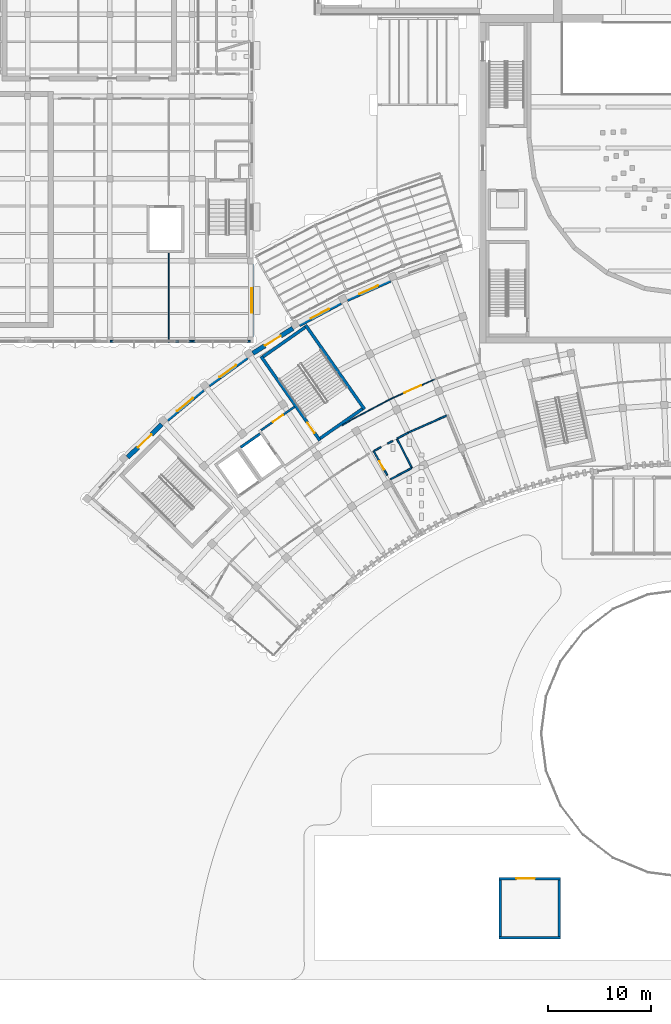
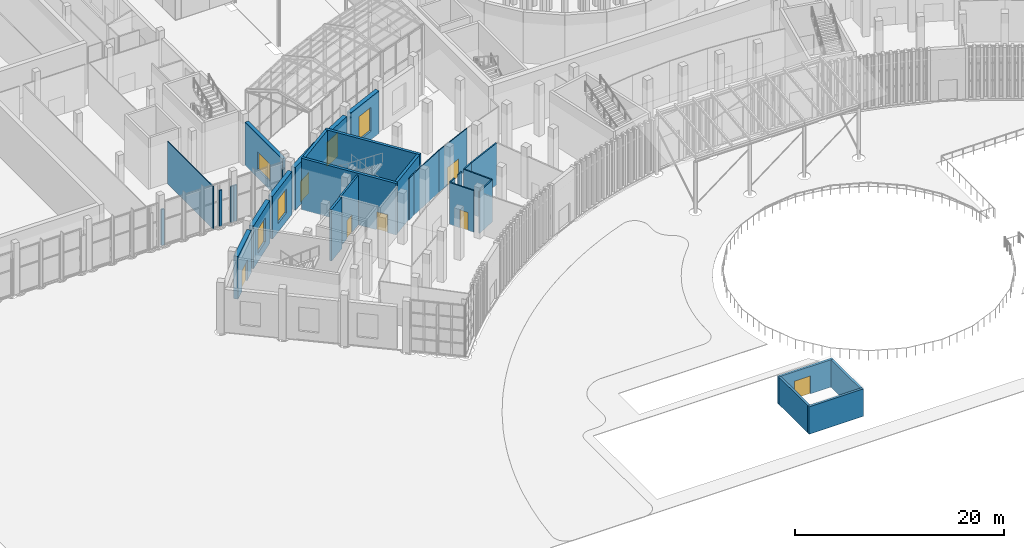
# One storey, part 91 of 155: 33 walls, 7 doors, 5 windows, 12 openings.
"""IFC4 building model written with IfcOpenShell, lengths in metres."""

from ifc_helpers import new_model, si_unit, direction, frame, frame_2d, origin, place, context, subcontext, project, spatial, rectangle, extrude, material, layer, layer_set, type_object, element, fill, save


model = new_model("IFC4")

# Units and contexts
model_context = context("Model", 3, precision=1e-05, world=origin(), true_north=direction((0.0, 1.0)))
body_context = subcontext(model_context, "Body", "Model", "MODEL_VIEW")
ifc_project = project(units=[si_unit("LENGTHUNIT", "METRE"), si_unit("AREAUNIT", "SQUARE_METRE"), si_unit("VOLUMEUNIT", "CUBIC_METRE"), si_unit("PLANEANGLEUNIT", "RADIAN"), si_unit("MASSUNIT", "GRAM", prefix="KILO")], contexts=[model_context])

# Site, building, storey
site_placement = place(None, origin())
site = spatial("IfcSite", under=ifc_project, at=site_placement, CompositionType="ELEMENT")
building_placement = place(site_placement, origin())
building = spatial("IfcBuilding", under=site, at=building_placement, Name="Lunette Opera House", CompositionType="ELEMENT")
storey_placement = place(building_placement, origin())
storey = spatial("IfcBuildingStorey", under=building, at=storey_placement, Name="L00", CompositionType="ELEMENT", Elevation=0.0)

# Wall, opening, door
ifc_material_1 = material(Name="Clinker brick", Category="masonry")
ifc_layer_1 = layer(ifc_material_1, 0.449951171875)
ifc_layer_set_1 = layer_set([ifc_layer_1], Name="Clinker brick")
wall_type_1 = type_object("IfcWallType", Name="ARM RAIN SCREEN WALL 450", PredefinedType="SOLIDWALL", material=ifc_layer_set_1)
wall_1_placement = place(storey_placement, frame((41.743896484375, 52.881103515625, 0.0), z_axis=(0.0, 0.0, 1.0), x_axis=(0.71931528768, 0.694683753164, 0.0)))
wall_1 = element("IfcWall", 1, at=wall_1_placement, inside=storey, type_object=wall_type_1, Name="Arm Rain Screen Wall 450 BW-CW02 L00", PredefinedType="SOLIDWALL", context=body_context, shape_type="SweptSolid", body=[
    extrude(rectangle(XDim=4.589111328125, YDim=0.449951171875, at=frame_2d((2.29443359375, 0.0))), origin(), (0.0, 0.0, 1.0), 4.97998046875),
])
opening_1_placement = place(wall_1_placement, frame((1.39501953125, 0.0, 0.0)))
opening_1 = element("IfcOpeningElement", 2, at=opening_1_placement, cuts=wall_1, Name="Opening FC-D2008", PredefinedType="OPENING", context=body_context, shape_type="SweptSolid", body=[
    extrude(rectangle(XDim=1.800048828125, YDim=2.39990234375, at=frame_2d((0.89990234375, 1.199951171875))), frame((0.0, 0.237060546875, 0.0), z_axis=(0.0, -1.0, 0.0), x_axis=(1.0, 0.0, 0.0)), (0.0, 0.0, 1.0), 0.473876953125),
])
ifc_material_2 = material(Name="Powder-coated steel", Category="steel")
door_type_1 = type_object("IfcDoorType", Name="EXIT DOUBLE DOOR 1800 X 2400", OperationType="DOUBLE_DOOR_DOUBLE_SWING", PredefinedType="DOOR", material=ifc_material_2)
door_1_placement = place(opening_1_placement, origin())
door_1 = element("IfcDoor", 3, at=door_1_placement, inside=storey, type_object=door_type_1, Name="Exit Double Door 1800 X 2400 BW-CW02 L00", OperationType="DOUBLE_DOOR_DOUBLE_SWING", OverallHeight=2.39990234375, OverallWidth=1.800048828125, PredefinedType="DOOR", context=body_context, shape_type="SweptSolid", body=[
    extrude(rectangle(XDim=1.800048828125, YDim=2.39990234375, at=frame_2d((0.89990234375, 1.199951171875))), frame((0.0, 0.02490234375, 0.0), z_axis=(0.0, -1.0, 0.0), x_axis=(1.0, 0.0, 0.0)), (0.0, 0.0, 1.0), 0.050048828125),
])
fill(opening_1, door_1)

# Wall, opening, window
wall_2_placement = place(storey_placement, frame((45.56494140625, 56.537109375, 0.0), z_axis=(0.0, 0.0, 1.0), x_axis=(0.76600138663, 0.642838918922, 0.0)))
wall_2 = element("IfcWall", 4, at=wall_2_placement, inside=storey, type_object=wall_type_1, Name="Arm Rain Screen Wall 450 BW-CW03 L00", PredefinedType="SOLIDWALL", context=body_context, shape_type="SweptSolid", body=[
    extrude(rectangle(XDim=4.5888671875, YDim=0.449951171875, at=frame_2d((2.29443359375, 0.0))), origin(), (0.0, 0.0, 1.0), 4.97998046875),
])
opening_2_placement = place(wall_2_placement, frame((1.2939453125, 0.0, 1.0)))
opening_2 = element("IfcOpeningElement", 5, at=opening_2_placement, cuts=wall_2, Name="Opening FC-N2116", PredefinedType="OPENING", context=body_context, shape_type="SweptSolid", body=[
    extrude(rectangle(XDim=2.0, YDim=2.800048828125, at=frame_2d((1.0, 1.39990234375))), frame((0.0, 0.237060546875, 0.0), z_axis=(0.0, -1.0, 0.0), x_axis=(1.0, 0.0, 0.0)), (0.0, 0.0, 1.0), 0.473876953125),
])
ifc_material_3 = material(Name="Aluminium", Category="aluminium")
window_type_1 = type_object("IfcWindowType", Name="ARM WINDOW 2000 X 2800", PartitioningType="DOUBLE_PANEL_VERTICAL", PredefinedType="WINDOW", material=ifc_material_3)
window_1_placement = place(opening_2_placement, origin())
window_1 = element("IfcWindow", 6, at=window_1_placement, inside=storey, type_object=window_type_1, Name="Arm Window 2000 X 2800 BW-CW03 L00", OverallHeight=2.800048828125, OverallWidth=2.0, PartitioningType="DOUBLE_PANEL_VERTICAL", PredefinedType="WINDOW", context=body_context, shape_type="SweptSolid", body=[
    extrude(rectangle(XDim=2.0, YDim=2.800048828125, at=frame_2d((1.0, 1.39990234375))), frame((0.0, 0.030029296875, 0.0), z_axis=(0.0, -1.0, 0.0), x_axis=(1.0, 0.0, 0.0)), (0.0, 0.0, 1.0), 0.06005859375),
])
fill(opening_2, window_1)

wall_3_placement = place(storey_placement, frame((49.631103515625, 59.91796875, 0.0), z_axis=(0.0, 0.0, 1.0), x_axis=(0.809175321394, 0.587567272104, 0.0)))
wall_3 = element("IfcWall", 7, at=wall_3_placement, inside=storey, type_object=wall_type_1, Name="Arm Rain Screen Wall 450 BW-CW04 L00", PredefinedType="SOLIDWALL", context=body_context, shape_type="SweptSolid", body=[
    extrude(rectangle(XDim=4.58837890625, YDim=0.449951171875, at=frame_2d((2.294189453125, 0.0))), origin(), (0.0, 0.0, 1.0), 4.97998046875),
])
opening_3_placement = place(wall_3_placement, frame((1.2939453125, 0.0, 1.0)))
opening_3 = element("IfcOpeningElement", 8, at=opening_3_placement, cuts=wall_3, Name="Opening FC-N2121", PredefinedType="OPENING", context=body_context, shape_type="SweptSolid", body=[
    extrude(rectangle(XDim=2.0, YDim=2.800048828125, at=frame_2d((1.0, 1.39990234375))), frame((0.0, 0.237060546875, 0.0), z_axis=(0.0, -1.0, 0.0), x_axis=(1.0, 0.0, 0.0)), (0.0, 0.0, 1.0), 0.473876953125),
])
window_2_placement = place(opening_3_placement, origin())
window_2 = element("IfcWindow", 9, at=window_2_placement, inside=storey, type_object=window_type_1, Name="Arm Window 2000 X 2800 BW-CW04 L00", OverallHeight=2.800048828125, OverallWidth=2.0, PartitioningType="DOUBLE_PANEL_VERTICAL", PredefinedType="WINDOW", context=body_context, shape_type="SweptSolid", body=[
    extrude(rectangle(XDim=2.0, YDim=2.800048828125, at=frame_2d((1.0, 1.39990234375))), frame((0.0, 0.030029296875, 0.0), z_axis=(0.0, -1.0, 0.0), x_axis=(1.0, 0.0, 0.0)), (0.0, 0.0, 1.0), 0.06005859375),
])
fill(opening_3, window_2)

# Wall, opening, door
wall_4_placement = place(storey_placement, frame((53.924072265625, 63.0048828125, 0.0), z_axis=(0.0, 0.0, 1.0), x_axis=(0.847929565971, 0.530108904992, 0.0)))
wall_4 = element("IfcWall", 10, at=wall_4_placement, inside=storey, type_object=wall_type_1, Name="Arm Rain Screen Wall 450 BW-CW05 L00", PredefinedType="SOLIDWALL", context=body_context, shape_type="SweptSolid", body=[
    extrude(rectangle(XDim=4.58984375, YDim=0.449951171875, at=frame_2d((2.294921875, 0.0))), origin(), (0.0, 0.0, 1.0), 4.97998046875),
])
opening_4_placement = place(wall_4_placement, frame((1.39501953125, 0.0, 0.0)))
opening_4 = element("IfcOpeningElement", 11, at=opening_4_placement, cuts=wall_4, Name="Opening FC-D2009", PredefinedType="OPENING", context=body_context, shape_type="SweptSolid", body=[
    extrude(rectangle(XDim=1.800048828125, YDim=2.39990234375, at=frame_2d((0.89990234375, 1.199951171875))), frame((0.0, 0.237060546875, 0.0), z_axis=(0.0, -1.0, 0.0), x_axis=(1.0, 0.0, 0.0)), (0.0, 0.0, 1.0), 0.473876953125),
])
door_2_placement = place(opening_4_placement, origin())
door_2 = element("IfcDoor", 12, at=door_2_placement, inside=storey, type_object=door_type_1, Name="Exit Double Door 1800 X 2400 BW-CW05 L00", OperationType="DOUBLE_DOOR_DOUBLE_SWING", OverallHeight=2.39990234375, OverallWidth=1.800048828125, PredefinedType="DOOR", context=body_context, shape_type="SweptSolid", body=[
    extrude(rectangle(XDim=1.800048828125, YDim=2.39990234375, at=frame_2d((0.89990234375, 1.199951171875))), frame((0.0, 0.02490234375, 0.0), z_axis=(0.0, -1.0, 0.0), x_axis=(1.0, 0.0, 0.0)), (0.0, 0.0, 1.0), 0.050048828125),
])
fill(opening_4, door_2)

# Wall, opening, window
wall_5_placement = place(storey_placement, frame((58.422119140625, 65.787109375, 0.0), z_axis=(0.0, 0.0, 1.0), x_axis=(0.882862062395, 0.469632386855, 0.0)))
wall_5 = element("IfcWall", 13, at=wall_5_placement, inside=storey, type_object=wall_type_1, Name="Arm Rain Screen Wall 450 BW-CW06 L00", PredefinedType="SOLIDWALL", context=body_context, shape_type="SweptSolid", body=[
    extrude(rectangle(XDim=4.588134765625, YDim=0.449951171875, at=frame_2d((2.2939453125, 0.0))), origin(), (0.0, 0.0, 1.0), 4.97998046875),
])
opening_5_placement = place(wall_5_placement, frame((1.2939453125, 0.0, 1.0)))
opening_5 = element("IfcOpeningElement", 14, at=opening_5_placement, cuts=wall_5, Name="Opening FC-N2130", PredefinedType="OPENING", context=body_context, shape_type="SweptSolid", body=[
    extrude(rectangle(XDim=2.0, YDim=2.800048828125, at=frame_2d((1.0, 1.39990234375))), frame((0.0, 0.237060546875, 0.0), z_axis=(0.0, -1.0, 0.0), x_axis=(1.0, 0.0, 0.0)), (0.0, 0.0, 1.0), 0.473876953125),
])
window_3_placement = place(opening_5_placement, origin())
window_3 = element("IfcWindow", 15, at=window_3_placement, inside=storey, type_object=window_type_1, Name="Arm Window 2000 X 2800 BW-CW06 L00", OverallHeight=2.800048828125, OverallWidth=2.0, PartitioningType="DOUBLE_PANEL_VERTICAL", PredefinedType="WINDOW", context=body_context, shape_type="SweptSolid", body=[
    extrude(rectangle(XDim=2.0, YDim=2.800048828125, at=frame_2d((1.0, 1.39990234375))), frame((0.0, 0.030029296875, 0.0), z_axis=(0.0, -1.0, 0.0), x_axis=(1.0, 0.0, 0.0)), (0.0, 0.0, 1.0), 0.06005859375),
])
fill(opening_5, window_3)

wall_6_placement = place(storey_placement, frame((63.10205078125, 68.248046875, 0.0), z_axis=(0.0, 0.0, 1.0), x_axis=(0.91349754212, 0.406844246045, 0.0)))
wall_6 = element("IfcWall", 16, at=wall_6_placement, inside=storey, type_object=wall_type_1, Name="Arm Rain Screen Wall 450 BW-CW07 L00", PredefinedType="SOLIDWALL", context=body_context, shape_type="SweptSolid", body=[
    extrude(rectangle(XDim=4.5888671875, YDim=0.449951171875, at=frame_2d((2.29443359375, 0.0))), origin(), (0.0, 0.0, 1.0), 4.97998046875),
])
opening_6_placement = place(wall_6_placement, frame((1.294921875, 0.0, 1.0)))
opening_6 = element("IfcOpeningElement", 17, at=opening_6_placement, cuts=wall_6, Name="Opening FC-N2135", PredefinedType="OPENING", context=body_context, shape_type="SweptSolid", body=[
    extrude(rectangle(XDim=2.0, YDim=2.800048828125, at=frame_2d((1.0, 1.39990234375))), frame((0.0, 0.237060546875, 0.0), z_axis=(0.0, -1.0, 0.0), x_axis=(1.0, 0.0, 0.0)), (0.0, 0.0, 1.0), 0.473876953125),
])
window_4_placement = place(opening_6_placement, origin())
window_4 = element("IfcWindow", 18, at=window_4_placement, inside=storey, type_object=window_type_1, Name="Arm Window 2000 X 2800 BW-CW07 L00", OverallHeight=2.800048828125, OverallWidth=2.0, PartitioningType="DOUBLE_PANEL_VERTICAL", PredefinedType="WINDOW", context=body_context, shape_type="SweptSolid", body=[
    extrude(rectangle(XDim=2.0, YDim=2.800048828125, at=frame_2d((1.0, 1.39990234375))), frame((0.0, 0.030029296875, 0.0), z_axis=(0.0, -1.0, 0.0), x_axis=(1.0, 0.0, 0.0)), (0.0, 0.0, 1.0), 0.06005859375),
])
fill(opening_6, window_4)

# Wall
ifc_material_4 = material(Name="Plastered clay blockwork", Category="masonry")
ifc_layer_2 = layer(ifc_material_4, 0.14990234375)
ifc_layer_set_2 = layer_set([ifc_layer_2], Name="Plastered clay blockwork")
wall_type_2 = type_object("IfcWallType", Name="BLOCK PARTITION 150", PredefinedType="PARTITIONING", material=ifc_layer_set_2)
wall_7_placement = place(storey_placement, frame((72.7900390625, 56.945068359375, 0.0), z_axis=(0.0, 0.0, 1.0), x_axis=(-0.913583302996, -0.406651630376, 0.0)))
element("IfcWall", 19, at=wall_7_placement, inside=storey, type_object=wall_type_2, Name="Partition Public WC Foyer", PredefinedType="PARTITIONING", context=body_context, shape_type="SweptSolid", body=[
    extrude(rectangle(XDim=4.104736328125, YDim=0.14990234375, at=frame_2d((2.05224609375, 0.0))), origin(), (0.0, 0.0, 1.0), 4.8798828125),
])

# Wall, opening, door
wall_8_placement = place(storey_placement, frame((65.676025390625, 53.487060546875, 0.0), z_axis=(0.0, 0.0, 1.0), x_axis=(0.49313580481, -0.869952342381, 0.0)))
wall_8 = element("IfcWall", 20, at=wall_8_placement, inside=storey, type_object=wall_type_2, Name="Partition Accessible WC Foyer", PredefinedType="PARTITIONING", context=body_context, shape_type="SweptSolid", body=[
    extrude(rectangle(XDim=2.69921875, YDim=0.14990234375, at=frame_2d((1.349609375, 0.0))), origin(), (0.0, 0.0, 1.0), 4.8798828125),
])
opening_7_placement = place(wall_8_placement, frame((1.14990234375, 0.0, 0.0)))
opening_7 = element("IfcOpeningElement", 21, at=opening_7_placement, cuts=wall_8, Name="Opening FC-D3022", PredefinedType="OPENING", context=body_context, shape_type="SweptSolid", body=[
    extrude(rectangle(XDim=0.89990234375, YDim=2.10009765625, at=frame_2d((0.449951171875, 1.050048828125))), frame((0.0, 0.0869140625, 0.0), z_axis=(0.0, -1.0, 0.0), x_axis=(1.0, 0.0, 0.0)), (0.0, 0.0, 1.0), 0.173828125),
])
ifc_material_5 = material(Name="Timber", Category="wood")
door_type_2 = type_object("IfcDoorType", Name="FLUSH DOOR 900 X 2100", OperationType="SINGLE_SWING_LEFT", PredefinedType="DOOR", material=ifc_material_5)
door_3_placement = place(opening_7_placement, origin())
door_3 = element("IfcDoor", 22, at=door_3_placement, inside=storey, type_object=door_type_2, Name="Accessible WC Foyer door", OperationType="SINGLE_SWING_RIGHT", OverallHeight=2.10009765625, OverallWidth=0.89990234375, PredefinedType="DOOR", context=body_context, shape_type="SweptSolid", body=[
    extrude(rectangle(XDim=0.89990234375, YDim=2.10009765625, at=frame_2d((0.449951171875, 1.050048828125))), frame((0.0, 0.02490234375, 0.0), z_axis=(0.0, -1.0, 0.0), x_axis=(1.0, 0.0, 0.0)), (0.0, 0.0, 1.0), 0.050048828125),
])
fill(opening_7, door_3)

# Walls
wall_9_placement = place(storey_placement, frame((69.404052734375, 51.846923828125, 0.0), z_axis=(0.0, 0.0, 1.0), x_axis=(-0.456409614948, 0.889769781114, 0.0)))
element("IfcWall", 23, at=wall_9_placement, inside=storey, type_object=wall_type_2, Name="Partition Accessible WC Foyer", PredefinedType="PARTITIONING", context=body_context, shape_type="SweptSolid", body=[
    extrude(rectangle(XDim=3.19873046875, YDim=0.14990234375, at=frame_2d((1.599365234375, 0.0))), origin(), (0.0, 0.0, 1.0), 4.8798828125),
])
wall_10_placement = place(storey_placement, frame((67.321044921875, 50.739013671875, 0.0), z_axis=(0.0, 0.0, 1.0), x_axis=(0.882866832114, 0.46962342015, 0.0)))
element("IfcWall", 24, at=wall_10_placement, inside=storey, type_object=wall_type_2, Name="Partition Accessible WC Foyer", PredefinedType="PARTITIONING", context=body_context, shape_type="SweptSolid", body=[
    extrude(rectangle(XDim=2.325439453125, YDim=0.14990234375, at=frame_2d((1.16259765625, 0.0))), origin(), (0.0, 0.0, 1.0), 4.8798828125),
])
wall_11_placement = place(storey_placement, frame((69.0400390625, 55.27587890625, 0.0), z_axis=(0.0, 0.0, 1.0), x_axis=(-0.882900929831, -0.469559312658, 0.0)))
element("IfcWall", 25, at=wall_11_placement, inside=storey, type_object=wall_type_2, Name="Partition Public WC Foyer", PredefinedType="PARTITIONING", context=body_context, shape_type="SweptSolid", body=[
    extrude(rectangle(XDim=1.207275390625, YDim=0.14990234375, at=frame_2d((0.603515625, 0.0))), origin(), (0.0, 0.0, 1.0), 4.8798828125),
])
wall_12_placement = place(storey_placement, frame((67.531982421875, 54.47412109375, 0.0), z_axis=(0.0, 0.0, 1.0), x_axis=(-0.883245701809, -0.46891047145, 0.0)))
element("IfcWall", 26, at=wall_12_placement, inside=storey, type_object=wall_type_2, Name="Partition Accessible WC Foyer", PredefinedType="PARTITIONING", context=body_context, shape_type="SweptSolid", body=[
    extrude(rectangle(XDim=0.55908203125, YDim=0.14990234375, at=frame_2d((0.279541015625, 0.0))), origin(), (0.0, 0.0, 1.0), 4.8798828125),
])
wall_13_placement = place(storey_placement, frame((66.39599609375, 53.8701171875, 0.0), z_axis=(0.0, 0.0, 1.0), x_axis=(-0.882444242404, -0.470417005483, 0.0)))
element("IfcWall", 27, at=wall_13_placement, inside=storey, type_object=wall_type_2, Name="Partition Accessible WC Foyer", PredefinedType="PARTITIONING", context=body_context, shape_type="SweptSolid", body=[
    extrude(rectangle(XDim=0.739990234375, YDim=0.14990234375, at=frame_2d((0.3701171875, 0.0))), origin(), (0.0, 0.0, 1.0), 4.8798828125),
])
ifc_material_6 = material(Name="Insulated aluminium sandwich panel", Category="aluminium")
ifc_layer_3 = layer(ifc_material_6, 0.179931640625)
ifc_layer_set_3 = layer_set([ifc_layer_3], Name="Insulated aluminium sandwich panel")
wall_type_3 = type_object("IfcWallType", Name="CURTAIN WALL INFILL 180", PredefinedType="SOLIDWALL", material=ifc_layer_set_3)
wall_14_placement = place(storey_placement, frame((46.39404296875, 64.18310546875, 0.0), z_axis=(0.0, 0.0, 1.0), x_axis=(1.0, 0.0, 0.0)))
element("IfcWall", 28, at=wall_14_placement, inside=storey, type_object=wall_type_3, Name="Curtain Wall Infill 180 IN32 L00", PredefinedType="SOLIDWALL", context=body_context, shape_type="SweptSolid", body=[
    extrude(rectangle(XDim=0.304931640625, YDim=0.179931640625, at=frame_2d((0.15234375, 0.0))), origin(), (0.0, 0.0, 1.0), 4.199951171875),
])
for number, where, z_axis, x_axis, name in (
    (29, (40.330078125, 64.18310546875, 0.0), (0.0, 0.0, 1.0), (-1.0, 0.0, 0.0), "Curtain Wall Infill 180 IN33 L00"),
    (30, (47.669921875, 64.18310546875, 0.0), (0.0, 0.0, 1.0), (1.0, 0.0, 0.0), "Curtain Wall Infill 180 IN34 L00"),
):
    element("IfcWall", number, at=place(storey_placement, frame(where, z_axis=z_axis, x_axis=x_axis)), inside=storey, type_object=wall_type_3, Name=name, PredefinedType="SOLIDWALL", context=body_context, shape_type="SweptSolid", body=[
        extrude(rectangle(XDim=0.30517578125, YDim=0.179931640625, at=frame_2d((0.152587890625, 0.0))), origin(), (0.0, 0.0, 1.0), 4.199951171875),
    ])
wall_15_placement = place(storey_placement, frame((53.3701171875, 64.18310546875, 0.0), z_axis=(0.0, 0.0, 1.0), x_axis=(1.0, 0.0, 0.0)))
element("IfcWall", 31, at=wall_15_placement, inside=storey, type_object=wall_type_3, Name="Curtain Wall Infill 180 IN35 L00", PredefinedType="SOLIDWALL", context=body_context, shape_type="SweptSolid", body=[
    extrude(rectangle(XDim=0.304931640625, YDim=0.179931640625, at=frame_2d((0.15234375, 0.0))), origin(), (0.0, 0.0, 1.0), 4.199951171875),
])
wall_16_placement = place(storey_placement, frame((48.330078125, 64.18310546875, 0.0), z_axis=(0.0, 0.0, 1.0), x_axis=(-1.0, 0.0, 0.0)))
element("IfcWall", 32, at=wall_16_placement, inside=storey, type_object=wall_type_3, Name="Curtain Wall Infill 180 IN36 L00", PredefinedType="SOLIDWALL", context=body_context, shape_type="SweptSolid", body=[
    extrude(rectangle(XDim=0.30517578125, YDim=0.179931640625, at=frame_2d((0.152587890625, 0.0))), origin(), (0.0, 0.0, 1.0), 4.199951171875),
])
ifc_material_7 = material(Name="Clinker brick", Category="masonry")
ifc_layer_4 = layer(ifc_material_7, 0.25)
ifc_layer_set_4 = layer_set([ifc_layer_4], Name="Clinker brick")
wall_type_4 = type_object("IfcWallType", Name="INFORMATION PAVILION WALL 250", PredefinedType="SOLIDWALL", material=ifc_layer_set_4)
wall_17_placement = place(storey_placement, frame((77.875, 6.125, 0.0), z_axis=(0.0, 0.0, 1.0), x_axis=(1.0, 0.0, 0.0)))
element("IfcWall", 33, at=wall_17_placement, inside=storey, type_object=wall_type_4, Name="Information Pavilion Wall 250 PV-S L00", PredefinedType="SOLIDWALL", context=body_context, shape_type="SweptSolid", body=[
    extrude(rectangle(XDim=6.0, YDim=0.25, at=frame_2d((3.0, 0.0))), origin(), (0.0, 0.0, 1.0), 3.199951171875),
])

# Wall, opening, door
wall_18_placement = place(storey_placement, frame((77.875, 11.875, 0.0), z_axis=(0.0, 0.0, 1.0), x_axis=(1.0, 0.0, 0.0)))
wall_18 = element("IfcWall", 34, at=wall_18_placement, inside=storey, type_object=wall_type_4, Name="Information Pavilion Wall 250 PV-N L00", PredefinedType="SOLIDWALL", context=body_context, shape_type="SweptSolid", body=[
    extrude(rectangle(XDim=6.0, YDim=0.25, at=frame_2d((3.0, 0.0))), origin(), (0.0, 0.0, 1.0), 3.199951171875),
])
opening_8_placement = place(wall_18_placement, frame((1.699951171875, 0.0, 0.0)))
opening_8 = element("IfcOpeningElement", 35, at=opening_8_placement, cuts=wall_18, Name="Opening SF-D2701", PredefinedType="OPENING", context=body_context, shape_type="SweptSolid", body=[
    extrude(rectangle(XDim=1.800048828125, YDim=2.10009765625, at=frame_2d((0.89990234375, 1.050048828125))), frame((0.0, 0.136962890625, 0.0), z_axis=(0.0, -1.0, 0.0), x_axis=(1.0, 0.0, 0.0)), (0.0, 0.0, 1.0), 0.27392578125),
])
ifc_material_8 = material(Name="Aluminium", Category="aluminium")
door_type_3 = type_object("IfcDoorType", Name="INFORMATION PAVILION DOOR 1800 X 2100", OperationType="DOUBLE_DOOR_DOUBLE_SWING", PredefinedType="DOOR", material=ifc_material_8)
door_4_placement = place(opening_8_placement, origin())
door_4 = element("IfcDoor", 36, at=door_4_placement, inside=storey, type_object=door_type_3, Name="Information Pavilion Door 1800 X 2100 PV1 L00", OperationType="DOUBLE_DOOR_DOUBLE_SWING", OverallHeight=2.10009765625, OverallWidth=1.800048828125, PredefinedType="DOOR", context=body_context, shape_type="SweptSolid", body=[
    extrude(rectangle(XDim=1.800048828125, YDim=2.10009765625, at=frame_2d((0.89990234375, 1.050048828125))), frame((0.0, 0.02490234375, 0.0), z_axis=(0.0, -1.0, 0.0), x_axis=(1.0, 0.0, 0.0)), (0.0, 0.0, 1.0), 0.050048828125),
])
fill(opening_8, door_4)

# Walls
for number, where, z_axis, x_axis, name in (
    (37, (78.0, 6.25, 0.0), (0.0, 0.0, 1.0), (0.0, 1.0, 0.0), "Information Pavilion Wall 250 PV-W L00"),
    (38, (83.75, 6.25, 0.0), (0.0, 0.0, 1.0), (0.0, 1.0, 0.0), "Information Pavilion Wall 250 PV-E L00"),
):
    element("IfcWall", number, at=place(storey_placement, frame(where, z_axis=z_axis, x_axis=x_axis)), inside=storey, type_object=wall_type_4, Name=name, PredefinedType="SOLIDWALL", context=body_context, shape_type="SweptSolid", body=[
        extrude(rectangle(XDim=5.5, YDim=0.25, at=frame_2d((2.75, 0.0))), origin(), (0.0, 0.0, 1.0), 3.199951171875),
    ])

# Wall, opening, door
ifc_material_9 = material(Name="Concrete C35/45", Category="concrete")
ifc_layer_5 = layer(ifc_material_9, 0.199951171875)
ifc_layer_set_5 = layer_set([ifc_layer_5], Name="Concrete C35/45")
wall_type_5 = type_object("IfcWallType", Name="LOBBY WALL 200", PredefinedType="PARTITIONING", material=ifc_layer_set_5)
wall_19_placement = place(storey_placement, frame((57.98388671875, 57.797119140625, 0.0), z_axis=(0.0, 0.0, 1.0), x_axis=(-0.819125561737, -0.573614255497, 0.0)))
wall_19 = element("IfcWall", 39, at=wall_19_placement, inside=storey, type_object=wall_type_5, Name="FL2 lobby wall 2a", PredefinedType="PARTITIONING", context=body_context, shape_type="SweptSolid", body=[
    extrude(rectangle(XDim=3.990478515625, YDim=0.199951171875, at=frame_2d((1.9951171875, 0.0))), origin(), (0.0, 0.0, 1.0), 5.780029296875),
])
opening_9_placement = place(wall_19_placement, frame((1.3798828125, 0.0, 0.0)))
opening_9 = element("IfcOpeningElement", 40, at=opening_9_placement, cuts=wall_19, Name="Opening FC-D7032", PredefinedType="OPENING", context=body_context, shape_type="SweptSolid", body=[
    extrude(rectangle(XDim=1.199951171875, YDim=2.10009765625, at=frame_2d((0.60009765625, 1.050048828125))), frame((0.0, 0.112060546875, 0.0), z_axis=(0.0, -1.0, 0.0), x_axis=(1.0, 0.0, 0.0)), (0.0, 0.0, 1.0), 0.223876953125),
])
ifc_material_10 = material(Name="Steel", Category="steel")
door_type_4 = type_object("IfcDoorType", Name="FIRE DOOR 1200 X 2100", OperationType="SINGLE_SWING_LEFT", PredefinedType="DOOR", material=ifc_material_10)
door_5_placement = place(opening_9_placement, origin())
door_5 = element("IfcDoor", 41, at=door_5_placement, inside=storey, type_object=door_type_4, Name="FL2 lobby door", OperationType="SINGLE_SWING_LEFT", OverallHeight=2.10009765625, OverallWidth=1.199951171875, PredefinedType="DOOR", context=body_context, shape_type="SweptSolid", body=[
    extrude(rectangle(XDim=1.199951171875, YDim=2.10009765625, at=frame_2d((0.60009765625, 1.050048828125))), frame((0.0, 0.02490234375, 0.0), z_axis=(0.0, -1.0, 0.0), x_axis=(1.0, 0.0, 0.0)), (0.0, 0.0, 1.0), 0.050048828125),
])
fill(opening_9, door_5)

# Walls
ifc_material_11 = material(Name="Concrete C35/45", Category="concrete")
ifc_layer_6 = layer(ifc_material_11, 0.25)
ifc_layer_set_6 = layer_set([ifc_layer_6], Name="Concrete C35/45")
wall_type_6 = type_object("IfcWallType", Name="RC LIFT SHAFT WALL 250", PredefinedType="SOLIDWALL", material=ifc_layer_set_6)
wall_20_placement = place(storey_placement, frame((54.623046875, 55.1689453125, 0.0), z_axis=(0.0, 0.0, 1.0), x_axis=(-0.819226933165, -0.573469469089, 0.0)))
element("IfcWall", 42, at=wall_20_placement, inside=storey, type_object=wall_type_6, Name="FL2 shaft wall 2", PredefinedType="SOLIDWALL", context=body_context, shape_type="SweptSolid", body=[
    extrude(rectangle(XDim=2.2998046875, YDim=0.25, at=frame_2d((1.14990234375, 0.0))), origin(), (0.0, 0.0, 1.0), 6.0),
])
ifc_material_12 = material(Name="Concrete C35/45", Category="concrete")
ifc_layer_7 = layer(ifc_material_12, 0.300048828125)
ifc_layer_set_7 = layer_set([ifc_layer_7], Name="Concrete C35/45")
wall_type_7 = type_object("IfcWallType", Name="RC STAIR ENCLOSURE WALL 300", PredefinedType="SOLIDWALL", material=ifc_layer_set_7)
wall_21_placement = place(storey_placement, frame((64.791015625, 57.55908203125, 0.0), z_axis=(0.0, 0.0, 1.0), x_axis=(-0.573514776444, 0.819195215563, 0.0)))
element("IfcWall", 43, at=wall_21_placement, inside=storey, type_object=wall_type_7, Name="ST2 enclosure wall 1", PredefinedType="SOLIDWALL", context=body_context, shape_type="SweptSolid", body=[
    extrude(rectangle(XDim=10.0, YDim=0.300048828125, at=frame_2d((5.0, 0.0))), origin(), (0.0, 0.0, 1.0), 6.0),
])
wall_22_placement = place(storey_placement, frame((59.01904296875, 65.5419921875, 0.0), z_axis=(0.0, 0.0, 1.0), x_axis=(-0.819160804606, -0.573563925118, 0.0)))
element("IfcWall", 44, at=wall_22_placement, inside=storey, type_object=wall_type_7, Name="ST2 enclosure wall 2", PredefinedType="SOLIDWALL", context=body_context, shape_type="SweptSolid", body=[
    extrude(rectangle(XDim=5.000244140625, YDim=0.300048828125, at=frame_2d((2.5, 0.0))), origin(), (0.0, 0.0, 1.0), 6.0),
])

# Wall, opening, door
wall_23_placement = place(storey_placement, frame((54.714111328125, 62.7109375, 0.0), z_axis=(0.0, 0.0, 1.0), x_axis=(0.573563925118, -0.819160804606, 0.0)))
wall_23 = element("IfcWall", 45, at=wall_23_placement, inside=storey, type_object=wall_type_7, Name="ST2 enclosure wall 3", PredefinedType="SOLIDWALL", context=body_context, shape_type="SweptSolid", body=[
    extrude(rectangle(XDim=10.000244140625, YDim=0.300048828125, at=frame_2d((5.0, 0.0))), origin(), (0.0, 0.0, 1.0), 6.0),
])
opening_10_placement = place(wall_23_placement, frame((7.89990234375, 0.0, 0.0)))
opening_10 = element("IfcOpeningElement", 46, at=opening_10_placement, cuts=wall_23, Name="Opening FC-D7014", PredefinedType="OPENING", context=body_context, shape_type="SweptSolid", body=[
    extrude(rectangle(XDim=1.199951171875, YDim=2.10009765625, at=frame_2d((0.60009765625, 1.050048828125))), frame((0.0, 0.162109375, 0.0), z_axis=(0.0, -1.0, 0.0), x_axis=(1.0, 0.0, 0.0)), (0.0, 0.0, 1.0), 0.323974609375),
])
door_6_placement = place(opening_10_placement, origin())
door_6 = element("IfcDoor", 47, at=door_6_placement, inside=storey, type_object=door_type_4, Name="ST2 stair door", OperationType="SINGLE_SWING_LEFT", OverallHeight=2.10009765625, OverallWidth=1.199951171875, PredefinedType="DOOR", context=body_context, shape_type="SweptSolid", body=[
    extrude(rectangle(XDim=1.199951171875, YDim=2.10009765625, at=frame_2d((0.60009765625, 1.050048828125))), frame((0.0, 0.02490234375, 0.0), z_axis=(0.0, -1.0, 0.0), x_axis=(1.0, 0.0, 0.0)), (0.0, 0.0, 1.0), 0.050048828125),
])
fill(opening_10, door_6)

# Wall
wall_24_placement = place(storey_placement, frame((60.487060546875, 54.72802734375, 0.0), z_axis=(0.0, 0.0, 1.0), x_axis=(0.819096538389, 0.573655698829, 0.0)))
element("IfcWall", 48, at=wall_24_placement, inside=storey, type_object=wall_type_7, Name="ST2 enclosure wall 4", PredefinedType="SOLIDWALL", context=body_context, shape_type="SweptSolid", body=[
    extrude(rectangle(XDim=4.999267578125, YDim=0.300048828125, at=frame_2d((2.49951171875, 0.0))), origin(), (0.0, 0.0, 1.0), 6.0),
])

# Wall, opening, window
ifc_material_13 = material(Name="Clinker brick", Category="masonry")
ifc_layer_8 = layer(ifc_material_13, 0.364990234375)
ifc_layer_set_8 = layer_set([ifc_layer_8], Name="Clinker brick")
wall_type_8 = type_object("IfcWallType", Name="REHEARSAL BRICK WALL 365", PredefinedType="SOLIDWALL", material=ifc_layer_set_8)
wall_25_placement = place(storey_placement, frame((53.818115234375, 64.60009765625, 0.0), z_axis=(0.0, 0.0, 1.0), x_axis=(0.0, 1.0, 0.0)))
wall_25 = element("IfcWall", 49, at=wall_25_placement, inside=storey, type_object=wall_type_8, Name="Rehearsal Brick Wall 365 F19 L00", PredefinedType="SOLIDWALL", context=body_context, shape_type="SweptSolid", body=[
    extrude(rectangle(XDim=7.099853515625, YDim=0.364990234375, at=frame_2d((3.5498046875, 0.0))), origin(), (0.0, 0.0, 1.0), 5.050048828125),
])
opening_11_placement = place(wall_25_placement, frame((2.35009765625, 0.0, 1.0)))
opening_11 = element("IfcOpeningElement", 50, at=opening_11_placement, cuts=wall_25, Name="Opening RW-N2007", PredefinedType="OPENING", context=body_context, shape_type="SweptSolid", body=[
    extrude(rectangle(XDim=2.39990234375, YDim=2.0, at=frame_2d((1.199951171875, 1.0))), frame((0.0, 0.194580078125, 0.0), z_axis=(0.0, -1.0, 0.0), x_axis=(1.0, 0.0, 0.0)), (0.0, 0.0, 1.0), 0.388916015625),
])
ifc_material_14 = material(Name="Aluminium", Category="aluminium")
window_type_2 = type_object("IfcWindowType", Name="REHEARSAL WINDOW 2400 X 2000", PartitioningType="DOUBLE_PANEL_VERTICAL", PredefinedType="WINDOW", material=ifc_material_14)
window_5_placement = place(opening_11_placement, origin())
window_5 = element("IfcWindow", 51, at=window_5_placement, inside=storey, type_object=window_type_2, Name="Rehearsal Window 2400 X 2000 F19 L00", OverallHeight=2.0, OverallWidth=2.39990234375, PartitioningType="DOUBLE_PANEL_VERTICAL", PredefinedType="WINDOW", context=body_context, shape_type="SweptSolid", body=[
    extrude(rectangle(XDim=2.39990234375, YDim=2.0, at=frame_2d((1.199951171875, 1.0))), frame((0.0, 0.030029296875, 0.0), z_axis=(0.0, -1.0, 0.0), x_axis=(1.0, 0.0, 0.0)), (0.0, 0.0, 1.0), 0.06005859375),
])
fill(opening_11, window_5)

# Wall
ifc_material_15 = material(Name="Gypsum board on steel studs", Category="steel")
ifc_layer_9 = layer(ifc_material_15, 0.10009765625)
ifc_layer_set_9 = layer_set([ifc_layer_9], Name="Gypsum board on steel studs")
wall_type_9 = type_object("IfcWallType", Name="STUD PARTITION 100", PredefinedType="PARTITIONING", material=ifc_layer_set_9)
wall_26_placement = place(storey_placement, frame((45.718994140625, 72.75, 0.0), z_axis=(0.0, 0.0, 1.0), x_axis=(0.0, -1.0, 0.0)))
element("IfcWall", 52, at=wall_26_placement, inside=storey, type_object=wall_type_9, Name="Partition Artists' Canteen", PredefinedType="PARTITIONING", context=body_context, shape_type="SweptSolid", body=[
    extrude(rectangle(XDim=8.699951171875, YDim=0.10009765625, at=frame_2d((4.35009765625, 0.0))), origin(), (0.0, 0.0, 1.0), 4.949951171875),
])

# Wall, opening, door
wall_27_placement = place(storey_placement, frame((71.575927734375, 60.451904296875, 0.0), z_axis=(0.0, 0.0, 1.0), x_axis=(-0.91357913429, -0.406660995658, 0.0)))
wall_27 = element("IfcWall", 53, at=wall_27_placement, inside=storey, type_object=wall_type_9, Name="Partition Main Foyer", PredefinedType="PARTITIONING", context=body_context, shape_type="SweptSolid", body=[
    extrude(rectangle(XDim=4.55126953125, YDim=0.10009765625, at=frame_2d((2.275634765625, 0.0))), origin(), (0.0, 0.0, 1.0), 4.8798828125),
])
opening_12_placement = place(wall_27_placement, frame((1.3759765625, 0.0, 0.0)))
opening_12 = element("IfcOpeningElement", 54, at=opening_12_placement, cuts=wall_27, Name="Opening FC-D3014", PredefinedType="OPENING", context=body_context, shape_type="SweptSolid", body=[
    extrude(rectangle(XDim=1.800048828125, YDim=2.10009765625, at=frame_2d((0.89990234375, 1.050048828125))), frame((0.0, 0.06201171875, 0.0), z_axis=(0.0, -1.0, 0.0), x_axis=(1.0, 0.0, 0.0)), (0.0, 0.0, 1.0), 0.1240234375),
])
ifc_material_16 = material(Name="Timber", Category="wood")
door_type_5 = type_object("IfcDoorType", Name="DOUBLE FLUSH DOOR 1800 X 2100", OperationType="DOUBLE_DOOR_SINGLE_SWING", PredefinedType="DOOR", material=ifc_material_16)
door_7_placement = place(opening_12_placement, origin())
door_7 = element("IfcDoor", 55, at=door_7_placement, inside=storey, type_object=door_type_5, Name="Cloakroom door", OperationType="DOUBLE_DOOR_SINGLE_SWING", OverallHeight=2.10009765625, OverallWidth=1.800048828125, PredefinedType="DOOR", context=body_context, shape_type="SweptSolid", body=[
    extrude(rectangle(XDim=1.800048828125, YDim=2.10009765625, at=frame_2d((0.89990234375, 1.050048828125))), frame((0.0, 0.02490234375, 0.0), z_axis=(0.0, -1.0, 0.0), x_axis=(1.0, 0.0, 0.0)), (0.0, 0.0, 1.0), 0.050048828125),
])
fill(opening_12, door_7)

# Walls
wall_28_placement = place(storey_placement, frame((67.41796875, 58.60107421875, 0.0), z_axis=(0.0, 0.0, 1.0), x_axis=(-0.882989262106, -0.469393185938, 0.0)))
element("IfcWall", 56, at=wall_28_placement, inside=storey, type_object=wall_type_9, Name="Partition Main Foyer", PredefinedType="PARTITIONING", context=body_context, shape_type="SweptSolid", body=[
    extrude(rectangle(XDim=4.550537109375, YDim=0.10009765625, at=frame_2d((2.275390625, 0.0))), origin(), (0.0, 0.0, 1.0), 4.8798828125),
])
wall_29_placement = place(storey_placement, frame((63.39990234375, 56.465087890625, 0.0), z_axis=(0.0, 0.0, 1.0), x_axis=(-0.848042980139, -0.529927451484, 0.0)))
element("IfcWall", 57, at=wall_29_placement, inside=storey, type_object=wall_type_9, Name="Partition Main Foyer", PredefinedType="PARTITIONING", context=body_context, shape_type="SweptSolid", body=[
    extrude(rectangle(XDim=0.9208984375, YDim=0.10009765625, at=frame_2d((0.46044921875, 0.0))), origin(), (0.0, 0.0, 1.0), 4.8798828125),
])

save(model, "model.ifc")
